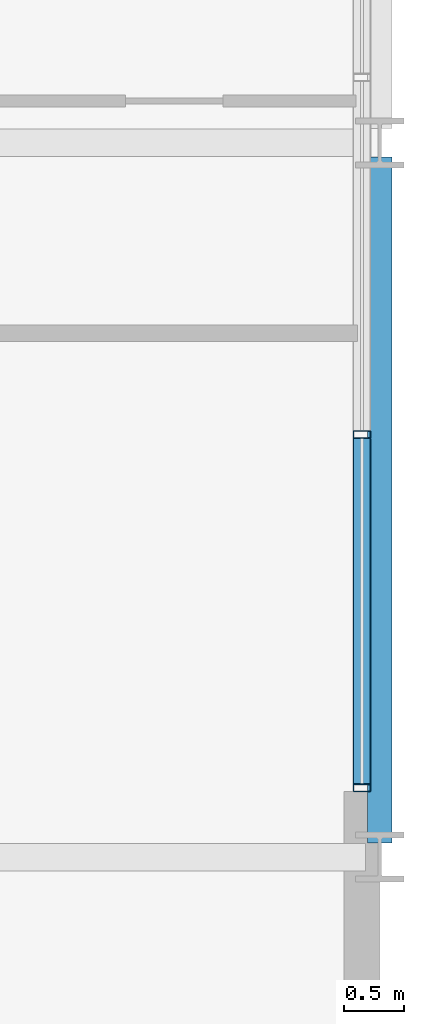
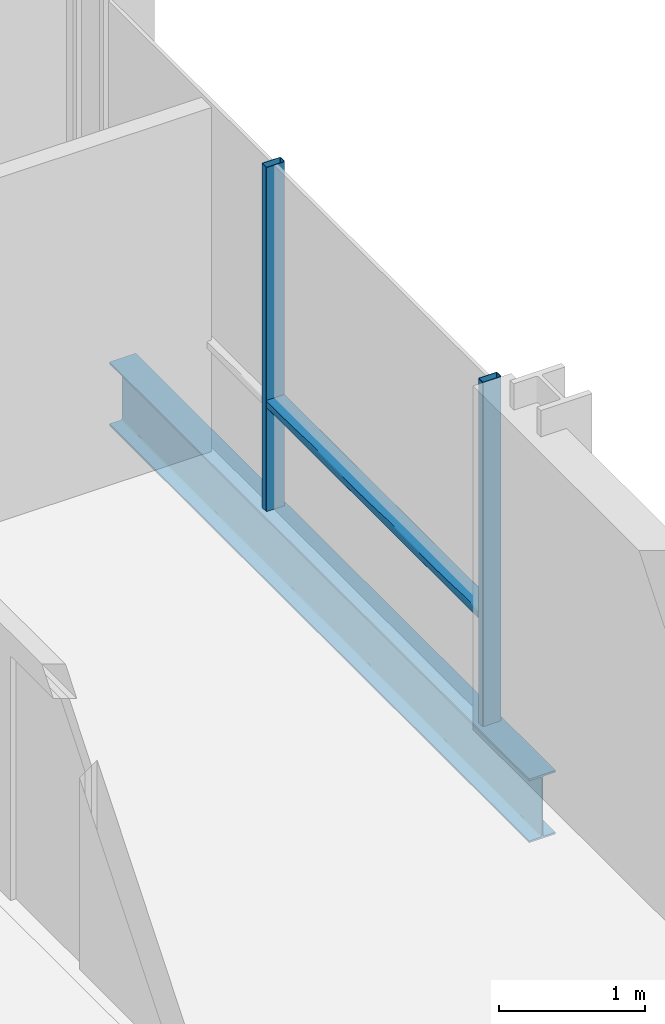
# One storey, part 17 of 41: 3 members, 1 beam, 1 element without a shape of its own.
"""IFC4 building model written with IfcOpenShell, lengths in metres."""

from ifc_helpers import new_model, si_unit, direction, frame, origin, origin_2d, place, context, subcontext, project, spatial, hollow_rectangle, i_section, extrude, material, layer, layer_set, material_profile, profile_set, type_object, element, aggregate, save


model = new_model("IFC4")

# Units and contexts
model_context = context("Model", 3, precision=1e-05, world=origin(), true_north=direction((0.0, 1.0)))
body_context = subcontext(model_context, "Body", "Model", "MODEL_VIEW")
ifc_project = project(units=[si_unit("LENGTHUNIT", "METRE"), si_unit("AREAUNIT", "SQUARE_METRE"), si_unit("VOLUMEUNIT", "CUBIC_METRE"), si_unit("PLANEANGLEUNIT", "RADIAN"), si_unit("MASSUNIT", "GRAM", prefix="KILO")], contexts=[model_context])

# Site, building, storey
site_placement = place(None, origin())
site = spatial("IfcSite", under=ifc_project, at=site_placement, CompositionType="ELEMENT")
building_placement = place(site_placement, origin())
building = spatial("IfcBuilding", under=site, at=building_placement, Name="Brevholm Reach", CompositionType="ELEMENT")
storey_placement = place(building_placement, frame((0.0, 0.0, 157.300048828125)))
storey = spatial("IfcBuildingStorey", under=building, at=storey_placement, Name="L47", CompositionType="ELEMENT", Elevation=157.300048828125)

# Beam
ifc_material_1 = material(Name="Structural Steel S355J2", Category="steel")
ifc_material_profile_1 = material_profile(ifc_material_1, i_section(OverallWidth=0.209228515625, OverallDepth=0.533203125, WebThickness=0.010009765625, FlangeThickness=0.015625, FilletRadius=0.0126953125, at=origin_2d()), Name="UKB 533x210x92")
ifc_profile_set_1 = profile_set([ifc_material_profile_1], Name="Structural Steel S355J2")
beam_type = type_object("IfcBeamType", Name="BM-SP533", PredefinedType="SPANDREL", material=ifc_profile_set_1)
beam_placement = place(storey_placement, frame((60.0, 10.1201171875, -0.486572265625), z_axis=(0.0, 1.0, 0.0), x_axis=(-1.0, 0.0, 0.0)))
element("IfcBeam", 1, at=beam_placement, inside=storey, type_object=beam_type, Name="L47 SP-02 Framing Beam", PredefinedType="SPANDREL", context=body_context, shape_type="SweptSolid", body=[
    extrude(i_section(OverallWidth=0.209228515625, OverallDepth=0.533203125, WebThickness=0.010009765625, FlangeThickness=0.015625, FilletRadius=0.0126953125, at=origin_2d()), origin(), (0.0, 0.0, 1.0), 5.759765625),
])

# Curtain wall, members
ifc_material_2 = material(Name="Dark Anodised Aluminium 6063-T6 and Solar-Control Glass", Category="aluminium")
ifc_layer = layer(ifc_material_2, 0.14990234375)
ifc_layer_set = layer_set([ifc_layer], Name="Dark Anodised Aluminium 6063-T6 and Solar-Control Glass")
curtain_wall_type = type_object("IfcCurtainWallType", Name="CW-01", PredefinedType="NOTDEFINED", material=ifc_layer_set)
curtain_wall_placement = place(storey_placement, origin())
curtain_wall = element("IfcCurtainWall", 2, at=curtain_wall_placement, inside=storey, type_object=curtain_wall_type, Name="L47 Curtain Wall CW-01", PredefinedType="NOTDEFINED")
ifc_material_3 = material(Name="Dark Anodised Aluminium 6063-T6", Category="aluminium")
ifc_material_profile_2 = material_profile(ifc_material_3, hollow_rectangle(XDim=0.06494140625, YDim=0.14990234375, WallThickness=0.0048828125, InnerFilletRadius=0.0048828125, OuterFilletRadius=0.010009765625, at=origin_2d()), Name="RHS 150x65x5")
ifc_profile_set_2 = profile_set([ifc_material_profile_2], Name="Dark Anodised Aluminium 6063-T6")
member_type_1 = type_object("IfcMemberType", Name="CWM-150", PredefinedType="MULLION", material=ifc_profile_set_2)
member_1_placement = place(storey_placement, frame((59.85009765625, 10.58251953125, 0.0), z_axis=(0.0, 0.0, 1.0), x_axis=(0.0, 1.0, 0.0)))
member_1 = element("IfcMember", 3, at=member_1_placement, type_object=member_type_1, Name="CM-150 Mullion 1", PredefinedType="MULLION", context=body_context, shape_type="SweptSolid", body=[
    extrude(hollow_rectangle(XDim=0.06494140625, YDim=0.14990234375, WallThickness=0.0048828125, InnerFilletRadius=0.0048828125, OuterFilletRadius=0.010009765625, at=origin_2d()), origin(), (0.0, 0.0, 1.0), 2.8798828125),
])
member_2_placement = place(storey_placement, frame((59.85009765625, 13.550048828125, 0.0), z_axis=(0.0, 0.0, 1.0), x_axis=(0.0, 1.0, 0.0)))
member_2 = element("IfcMember", 4, at=member_2_placement, type_object=member_type_1, Name="CM-150 Mullion 2", PredefinedType="MULLION", context=body_context, shape_type="SweptSolid", body=[
    extrude(hollow_rectangle(XDim=0.06494140625, YDim=0.14990234375, WallThickness=0.0048828125, InnerFilletRadius=0.0048828125, OuterFilletRadius=0.010009765625, at=origin_2d()), origin(), (0.0, 0.0, 1.0), 2.8798828125),
])
ifc_material_4 = material(Name="Dark Anodised Aluminium 6063-T6", Category="aluminium")
ifc_material_profile_3 = material_profile(ifc_material_4, hollow_rectangle(XDim=0.06494140625, YDim=0.14990234375, WallThickness=0.0048828125, InnerFilletRadius=0.0048828125, OuterFilletRadius=0.010009765625, at=origin_2d()), Name="RHS 150x65x5")
ifc_profile_set_3 = profile_set([ifc_material_profile_3], Name="Dark Anodised Aluminium 6063-T6")
member_type_2 = type_object("IfcMemberType", Name="CWT-150", PredefinedType="NOTDEFINED", material=ifc_profile_set_3)
member_3_placement = place(storey_placement, frame((59.85009765625, 10.614990234375, 0.89990234375), z_axis=(0.0, 1.0, 0.0), x_axis=(0.0, 0.0, 1.0)))
member_3 = element("IfcMember", 5, at=member_3_placement, type_object=member_type_2, Name="CT-150 Transom 1.1", ObjectType="TRANSOM", PredefinedType="USERDEFINED", context=body_context, shape_type="SweptSolid", body=[
    extrude(hollow_rectangle(XDim=0.06494140625, YDim=0.14990234375, WallThickness=0.0048828125, InnerFilletRadius=0.0048828125, OuterFilletRadius=0.010009765625, at=origin_2d()), origin(), (0.0, 0.0, 1.0), 2.902587890625),
])
aggregate(curtain_wall, [member_1, member_2, member_3])

save(model, "model.ifc")
